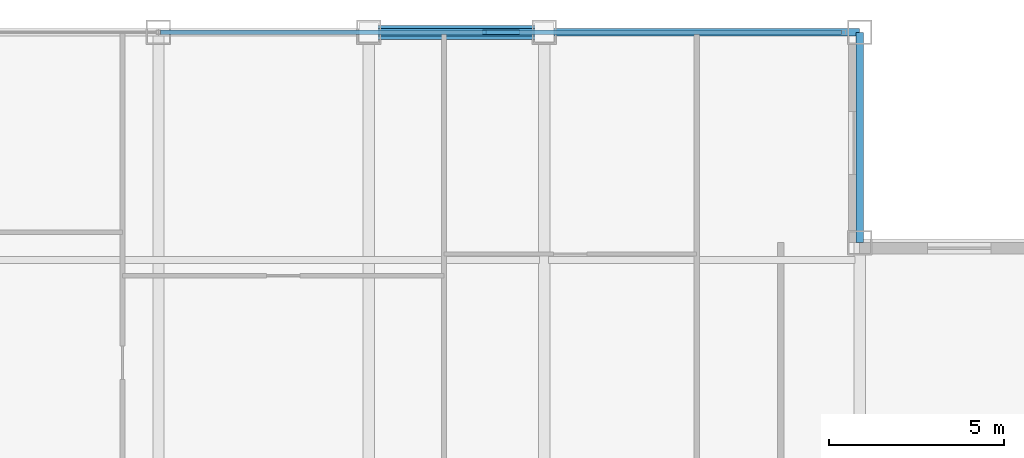
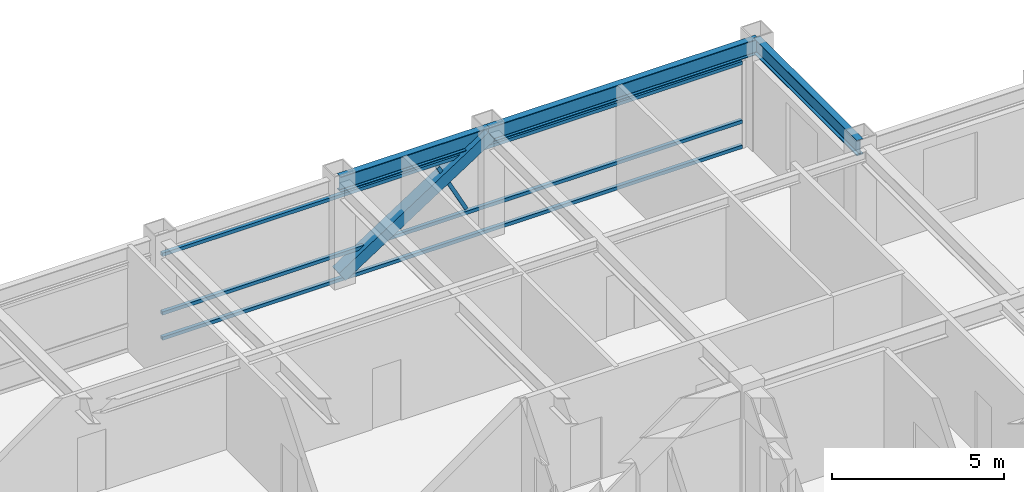
# One storey, part 21 of 29: 5 members, 3 beams, 1 element without a shape of its own.
"""IFC4 building model written with IfcOpenShell, lengths in metres."""

from ifc_helpers import new_model, si_unit, direction, frame, origin, origin_2d, place, context, subcontext, project, spatial, hollow_rectangle, i_section, extrude, source, transform, mapped, material, material_profile, profile_set, type_object, element, aggregate, save


model = new_model("IFC4")

# Units and contexts
model_context = context("Model", 3, precision=1e-05, world=origin(), true_north=direction((0.0, 1.0)))
body_context = subcontext(model_context, "Body", "Model", "MODEL_VIEW")
ifc_project = project(units=[si_unit("LENGTHUNIT", "METRE"), si_unit("AREAUNIT", "SQUARE_METRE"), si_unit("VOLUMEUNIT", "CUBIC_METRE"), si_unit("PLANEANGLEUNIT", "RADIAN"), si_unit("MASSUNIT", "GRAM", prefix="KILO")], contexts=[model_context])

# Site, building, storey
site_placement = place(None, origin())
site = spatial("IfcSite", under=ifc_project, at=site_placement, CompositionType="ELEMENT")
building_placement = place(site_placement, origin())
building = spatial("IfcBuilding", under=site, at=building_placement, Name="Khorayat Bourse Tower", CompositionType="ELEMENT")
storey_placement = place(building_placement, frame((0.0, 0.0, 362.300048828125)))
storey = spatial("IfcBuildingStorey", under=building, at=storey_placement, Name="L86", CompositionType="ELEMENT", Elevation=362.300048828125)

# Beams
ifc_material_1 = material(Name="Steel ASTM A992 Grade 50", Category="steel")
ifc_material_profile_1 = material_profile(ifc_material_1, i_section(OverallWidth=0.214111328125, OverallDepth=0.549072265625, WebThickness=0.0146484375, FlangeThickness=0.023681640625, FilletRadius=0.013916015625, at=origin_2d()), Name="W530X138")
ifc_profile_set_1 = profile_set([ifc_material_profile_1], Name="Steel ASTM A992 Grade 50")
beam_type = type_object("IfcBeamType", Name="BM-SPAN-530", PredefinedType="SPANDREL", material=ifc_profile_set_1)
shared_shape_1 = source(origin(), body_context, "Body", "SweptSolid", [
    extrude(i_section(OverallWidth=0.214111328125, OverallDepth=0.549072265625, WebThickness=0.0146484375, FlangeThickness=0.023681640625, FilletRadius=0.013916015625, at=origin_2d()), origin(), (0.0, 0.0, 1.0), 9.0),
])
beam_1_placement = place(storey_placement, frame((11.0, 26.0, 3.46533203125), z_axis=(1.0, 0.0, 0.0), x_axis=(0.0, 1.0, 0.0)))
element("IfcBeam", 1, at=beam_1_placement, inside=storey, type_object=beam_type, Name="L86 BM-SPAN-530 BM-L86-SPN-040", PredefinedType="SPANDREL", context=body_context, shape_type="MappedRepresentation", body=[
    mapped(shared_shape_1, transform((0.0, 0.0, 0.0), scale=1.0)),
])
shared_shape_2 = source(origin(), body_context, "Body", "SweptSolid", [
    extrude(i_section(OverallWidth=0.214111328125, OverallDepth=0.549072265625, WebThickness=0.0146484375, FlangeThickness=0.023681640625, FilletRadius=0.013916015625, at=origin_2d()), origin(), (0.0, 0.0, 1.0), 5.0),
])
beam_2_placement = place(storey_placement, frame((6.0, 26.0, 3.46533203125), z_axis=(1.0, 0.0, 0.0), x_axis=(0.0, 1.0, 0.0)))
element("IfcBeam", 2, at=beam_2_placement, inside=storey, type_object=beam_type, Name="L86 BM-SPAN-530 BM-L86-SPN-041", PredefinedType="SPANDREL", context=body_context, shape_type="MappedRepresentation", body=[
    mapped(shared_shape_2, transform((0.0, 0.0, 0.0), scale=1.0)),
])
shared_shape_3 = source(origin(), body_context, "Body", "SweptSolid", [
    extrude(i_section(OverallWidth=0.214111328125, OverallDepth=0.549072265625, WebThickness=0.0146484375, FlangeThickness=0.023681640625, FilletRadius=0.013916015625, at=origin_2d()), origin(), (0.0, 0.0, 1.0), 6.0),
])
beam_3_placement = place(storey_placement, frame((20.0, 20.0, 3.46533203125), z_axis=(0.0, 1.0, 0.0), x_axis=(-1.0, 0.0, 0.0)))
element("IfcBeam", 3, at=beam_3_placement, inside=storey, type_object=beam_type, Name="L86 BM-SPAN-530 BM-L86-SPN-039", PredefinedType="SPANDREL", context=body_context, shape_type="MappedRepresentation", body=[
    mapped(shared_shape_3, transform((0.0, 0.0, 0.0), scale=1.0)),
])

# Member
ifc_material_2 = material(Name="Steel EN 10025-4 S460M", Category="steel")
ifc_material_profile_2 = material_profile(ifc_material_2, hollow_rectangle(XDim=0.39990234375, YDim=0.39990234375, WallThickness=0.02197265625, at=origin_2d()), Name="HSS 400x400x22")
ifc_profile_set_2 = profile_set([ifc_material_profile_2], Name="Steel EN 10025-4 S460M")
member_type_1 = type_object("IfcMemberType", Name="MBR-TUBE-400", PredefinedType="BRACE", material=ifc_profile_set_2)
shared_shape_4 = source(origin(), body_context, "Body", "SweptSolid", [
    extrude(hollow_rectangle(XDim=0.39990234375, YDim=0.39990234375, WallThickness=0.02197265625, at=origin_2d()), origin(), (0.0, 0.0, 1.0), 5.9580078125),
])
member_1_placement = place(storey_placement, frame((6.0, 26.0, 0.25), z_axis=(0.839210474455, 0.0, 0.543806748364), x_axis=(0.0, 1.0, 0.0)))
element("IfcMember", 4, at=member_1_placement, inside=storey, type_object=member_type_1, Name="L86 Perimeter Tube Brace 04", PredefinedType="BRACE", context=body_context, shape_type="MappedRepresentation", body=[
    mapped(shared_shape_4, transform((0.0, 0.0, 0.0), scale=1.0)),
])

# Curtain wall, members
ifc_material_3 = material(Name="Aluminium EN AW-6063 T6", Category="aluminium")
curtain_wall_type = type_object("IfcCurtainWallType", Name="CW-SYS-04", PredefinedType="NOTDEFINED", material=ifc_material_3)
curtain_wall_placement = place(storey_placement, origin())
curtain_wall = element("IfcCurtainWall", 5, at=curtain_wall_placement, inside=storey, type_object=curtain_wall_type, Name="L86 Curtain Wall CW-L86-N1", PredefinedType="NOTDEFINED")
ifc_material_profile_3 = material_profile(ifc_material_3, hollow_rectangle(XDim=0.1201171875, YDim=0.1201171875, WallThickness=0.0048828125, at=origin_2d()), Name="ALU 120x120x5")
ifc_profile_set_3 = profile_set([ifc_material_profile_3], Name="Aluminium EN AW-6063 T6")
member_type_2 = type_object("IfcMemberType", Name="CWM-DIAG-120", PredefinedType="MULLION", material=ifc_profile_set_3)
shared_shape_5 = source(origin(), body_context, "Body", "SweptSolid", [
    extrude(hollow_rectangle(XDim=0.1201171875, YDim=0.1201171875, WallThickness=0.0048828125, at=origin_2d()), origin(), (0.0, 0.0, 1.0), 2.0341796875),
])
member_2_placement = place(storey_placement, frame((10.24365234375, 26.0, 1.08984375), z_axis=(-0.465696964104, 0.0, 0.884944256789), x_axis=(0.0, -1.0, 0.0)))
member_2 = element("IfcMember", 6, at=member_2_placement, type_object=member_type_2, Name="CW-L86-N1 Faceted Diagonal Mullion 2", PredefinedType="MULLION", context=body_context, shape_type="MappedRepresentation", body=[
    mapped(shared_shape_5, transform((0.0, 0.0, 0.0), scale=1.0)),
])
ifc_material_profile_4 = material_profile(ifc_material_3, hollow_rectangle(XDim=0.1201171875, YDim=0.1201171875, WallThickness=0.0048828125, at=origin_2d()), Name="ALU 120x120x5")
ifc_profile_set_4 = profile_set([ifc_material_profile_4], Name="Aluminium EN AW-6063 T6")
member_type_3 = type_object("IfcMemberType", Name="CWT-HORZ-120", PredefinedType="USERDEFINED", material=ifc_profile_set_4)
shared_shape_6 = source(origin(), body_context, "Body", "SweptSolid", [
    extrude(hollow_rectangle(XDim=0.1201171875, YDim=0.1201171875, WallThickness=0.0048828125, at=origin_2d()), origin(), (0.0, 0.0, 1.0), 19.419921875),
])
member_3_placement = place(storey_placement, frame((0.06005859375, 26.0, 0.06005859375), z_axis=(1.0, 0.0, 0.0), x_axis=(0.0, 1.0, 0.0)))
member_3 = element("IfcMember", 7, at=member_3_placement, type_object=member_type_3, Name="CW-L86-N1 Horizontal Transom 2-1", ObjectType="TRANSOM", PredefinedType="USERDEFINED", context=body_context, shape_type="MappedRepresentation", body=[
    mapped(shared_shape_6, transform((0.0, 0.0, 0.0), scale=1.0)),
])
member_4_placement = place(storey_placement, frame((0.06005859375, 26.0, 0.949951171875), z_axis=(1.0, 0.0, 0.0), x_axis=(0.0, 1.0, 0.0)))
member_4 = element("IfcMember", 8, at=member_4_placement, type_object=member_type_3, Name="CW-L86-N1 Horizontal Transom 2-2", ObjectType="TRANSOM", PredefinedType="USERDEFINED", context=body_context, shape_type="MappedRepresentation", body=[
    mapped(shared_shape_6, transform((0.0, 0.0, 0.0), scale=1.0)),
])
member_5_placement = place(storey_placement, frame((0.06005859375, 26.0, 3.030029296875), z_axis=(1.0, 0.0, 0.0), x_axis=(0.0, 1.0, 0.0)))
member_5 = element("IfcMember", 9, at=member_5_placement, type_object=member_type_3, Name="CW-L86-N1 Horizontal Transom 2-3", ObjectType="TRANSOM", PredefinedType="USERDEFINED", context=body_context, shape_type="MappedRepresentation", body=[
    mapped(shared_shape_6, transform((0.0, 0.0, 0.0), scale=1.0)),
])
aggregate(curtain_wall, [member_3, member_4, member_5, member_2])

save(model, "model.ifc")
